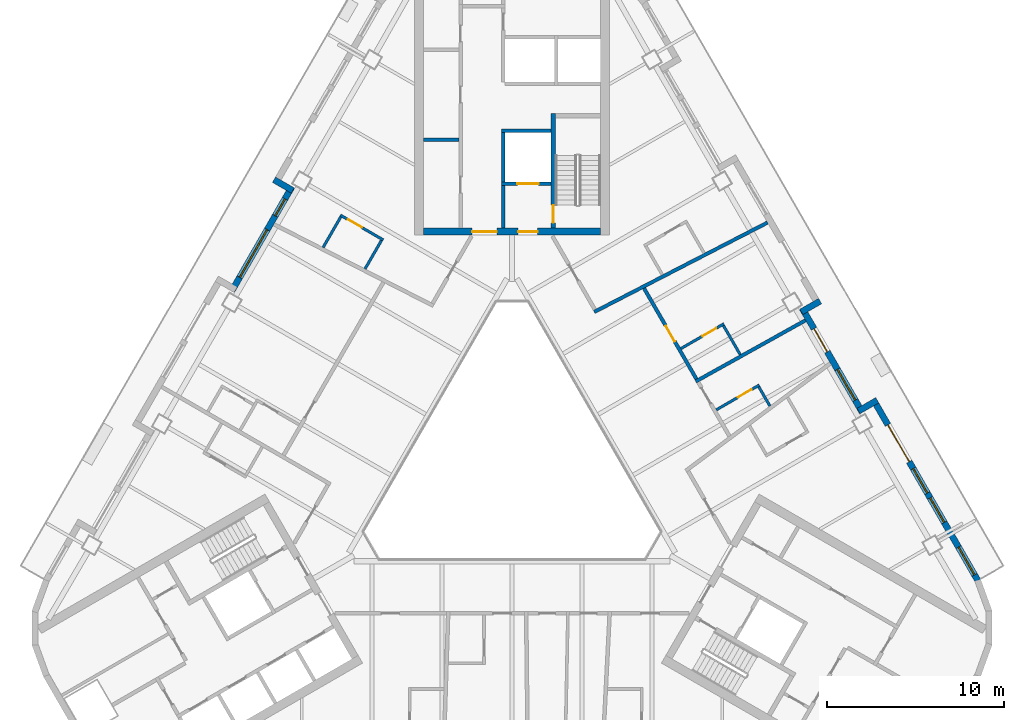
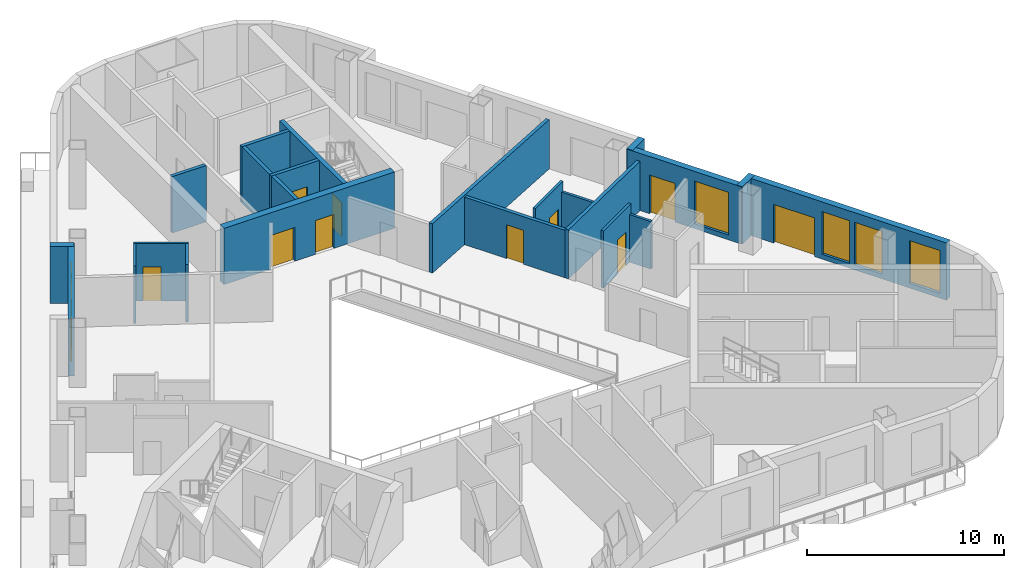
# One storey, part 6 of 14: 23 walls, 10 doors, 6 windows, 16 openings.
"""IFC4 building model written with IfcOpenShell, lengths in metres."""

from ifc_helpers import new_model, si_unit, direction, frame, frame_2d, origin, place, context, subcontext, project, spatial, rectangle, extrude, material, layer, layer_set, type_object, element, fill, save


model = new_model("IFC4")

# Units and contexts
model_context = context("Model", 3, precision=1e-05, world=origin(), true_north=direction((0.0, 1.0)))
body_context = subcontext(model_context, "Body", "Model", "MODEL_VIEW")
ifc_project = project(units=[si_unit("LENGTHUNIT", "METRE"), si_unit("AREAUNIT", "SQUARE_METRE"), si_unit("VOLUMEUNIT", "CUBIC_METRE"), si_unit("PLANEANGLEUNIT", "RADIAN"), si_unit("MASSUNIT", "GRAM", prefix="KILO")], contexts=[model_context])

# Site, building, storey
site_placement = place(None, origin())
site = spatial("IfcSite", under=ifc_project, at=site_placement, CompositionType="ELEMENT")
building_placement = place(site_placement, origin())
building = spatial("IfcBuilding", under=site, at=building_placement, Name="Apuvela Tower Hotel", CompositionType="ELEMENT")
storey_placement = place(building_placement, frame((0.0, 0.0, 172.5)))
storey = spatial("IfcBuildingStorey", under=building, at=storey_placement, Name="L41", CompositionType="ELEMENT", Elevation=172.5)

# Wall, openings, doors
ifc_material_1 = material(Name="Concrete C50/60", Category="concrete")
ifc_layer_1 = layer(ifc_material_1, 0.39990234375)
ifc_layer_set_1 = layer_set([ifc_layer_1], Name="COR-WALL-CORE-400")
wall_type_1 = type_object("IfcWallType", Name="COR-WALL-CORE-400", PredefinedType="SHEAR", material=ifc_layer_set_1)
wall_1_placement = place(storey_placement, frame((5.0, 13.10009765625, 0.0), z_axis=(0.0, 0.0, 1.0), x_axis=(-1.0, 0.0, 0.0)))
wall_1 = element("IfcWall", 1, at=wall_1_placement, inside=storey, type_object=wall_type_1, Name="Core wall N", PredefinedType="SHEAR", context=body_context, shape_type="SweptSolid", body=[
    extrude(rectangle(XDim=10.0, YDim=0.39990234375, at=frame_2d((5.0, 0.0))), origin(), (0.0, 0.0, 1.0), 3.5),
])
opening_1_placement = place(wall_1_placement, frame((3.550048828125, 0.0, 0.0)))
opening_1 = element("IfcOpeningElement", 2, at=opening_1_placement, cuts=wall_1, Name="Opening N-FD", PredefinedType="OPENING", context=body_context, shape_type="SweptSolid", body=[
    extrude(rectangle(XDim=1.10009765625, YDim=2.10009765625, at=frame_2d((0.550048828125, 1.050048828125))), frame((0.0, 0.2099609375, 0.0), z_axis=(0.0, -1.0, 0.0), x_axis=(1.0, 0.0, 0.0)), (0.0, 0.0, 1.0), 0.419921875),
])
opening_2_placement = place(wall_1_placement, frame((5.85009765625, 0.0, 0.0)))
opening_2 = element("IfcOpeningElement", 3, at=opening_2_placement, cuts=wall_1, Name="Opening N-GD", PredefinedType="OPENING", context=body_context, shape_type="SweptSolid", body=[
    extrude(rectangle(XDim=1.39990234375, YDim=2.10009765625, at=frame_2d((0.699951171875, 1.050048828125))), frame((0.0, 0.2099609375, 0.0), z_axis=(0.0, -1.0, 0.0), x_axis=(1.0, 0.0, 0.0)), (0.0, 0.0, 1.0), 0.419921875),
])
ifc_material_2 = material(Name="Steel fire door, powder coated", Category="steel")
door_type_1 = type_object("IfcDoorType", Name="COR-FD-1100", OperationType="NOTDEFINED", PredefinedType="DOOR", material=ifc_material_2)
door_1_placement = place(opening_1_placement, frame((1.10009765625, 0.0, 0.0), z_axis=(0.0, 0.0, 1.0), x_axis=(-1.0, 0.0, 0.0)))
door_1 = element("IfcDoor", 4, at=door_1_placement, inside=storey, type_object=door_type_1, Name="Firefighting lobby door N-FD", OperationType="SINGLE_SWING_LEFT", OverallHeight=2.10009765625, OverallWidth=1.10009765625, PredefinedType="DOOR", context=body_context, shape_type="SweptSolid", body=[
    extrude(rectangle(XDim=1.10009765625, YDim=2.10009765625, at=frame_2d((0.550048828125, 1.050048828125))), frame((0.0, 0.02490234375, 0.0), z_axis=(0.0, -1.0, 0.0), x_axis=(1.0, 0.0, 0.0)), (0.0, 0.0, 1.0), 0.050048828125),
])
fill(opening_1, door_1)
ifc_material_3 = material(Name="Glazed steel fire door", Category="steel")
door_type_2 = type_object("IfcDoorType", Name="COR-GD-1400", OperationType="DOUBLE_DOOR_SINGLE_SWING", PredefinedType="DOOR", material=ifc_material_3)
door_2_placement = place(opening_2_placement, frame((1.39990234375, 0.0, 0.0), z_axis=(0.0, 0.0, 1.0), x_axis=(-1.0, 0.0, 0.0)))
door_2 = element("IfcDoor", 5, at=door_2_placement, inside=storey, type_object=door_type_2, Name="Lift lobby door N-GD", OperationType="DOUBLE_DOOR_SINGLE_SWING", OverallHeight=2.10009765625, OverallWidth=1.39990234375, PredefinedType="DOOR", context=body_context, shape_type="SweptSolid", body=[
    extrude(rectangle(XDim=1.39990234375, YDim=2.10009765625, at=frame_2d((0.699951171875, 1.050048828125))), frame((0.0, 0.02490234375, 0.0), z_axis=(0.0, -1.0, 0.0), x_axis=(1.0, 0.0, 0.0)), (0.0, 0.0, 1.0), 0.050048828125),
])
fill(opening_2, door_2)

# Wall
ifc_layer_2 = layer(ifc_material_1, 0.199951171875)
ifc_layer_set_2 = layer_set([ifc_layer_2], Name="COR-WALL-SHAFT-200")
wall_type_2 = type_object("IfcWallType", Name="COR-WALL-SHAFT-200", PredefinedType="SHEAR", material=ifc_layer_set_2)
wall_2_placement = place(storey_placement, frame((2.199951171875, 18.800048828125, 0.0), z_axis=(0.0, 0.0, 1.0), x_axis=(-1.0, 0.0, 0.0)))
element("IfcWall", 6, at=wall_2_placement, inside=storey, type_object=wall_type_2, Name="Shaft wall N", PredefinedType="SHEAR", context=body_context, shape_type="SweptSolid", body=[
    extrude(rectangle(XDim=2.800048828125, YDim=0.199951171875, at=frame_2d((1.39990234375, 0.0))), origin(), (0.0, 0.0, 1.0), 3.5),
])

# Wall, opening, door
wall_3_placement = place(storey_placement, frame((2.199951171875, 15.800048828125, 0.0), z_axis=(0.0, 0.0, 1.0), x_axis=(-1.0, 0.0, 0.0)))
wall_3 = element("IfcWall", 7, at=wall_3_placement, inside=storey, type_object=wall_type_2, Name="Shaft wall N", PredefinedType="SHEAR", context=body_context, shape_type="SweptSolid", body=[
    extrude(rectangle(XDim=2.800048828125, YDim=0.199951171875, at=frame_2d((1.39990234375, 0.0))), origin(), (0.0, 0.0, 1.0), 3.5),
])
opening_3_placement = place(wall_3_placement, frame((0.699951171875, 0.0, 0.0)))
opening_3 = element("IfcOpeningElement", 8, at=opening_3_placement, cuts=wall_3, Name="Opening N-LD-FS1", PredefinedType="OPENING", context=body_context, shape_type="SweptSolid", body=[
    extrude(rectangle(XDim=1.199951171875, YDim=2.10009765625, at=frame_2d((0.60009765625, 1.050048828125))), frame((0.0, 0.10986328125, 0.0), z_axis=(0.0, -1.0, 0.0), x_axis=(1.0, 0.0, 0.0)), (0.0, 0.0, 1.0), 0.219970703125),
])
ifc_material_4 = material(Name="Stainless steel lift landing door", Category="steel")
door_type_3 = type_object("IfcDoorType", Name="COR-LD-1200", OperationType="DOUBLE_DOOR_SLIDING", PredefinedType="DOOR", material=ifc_material_4)
door_3_placement = place(opening_3_placement, origin())
door_3 = element("IfcDoor", 9, at=door_3_placement, inside=storey, type_object=door_type_3, Name="Lift landing door N-LD-FS1", OperationType="DOUBLE_DOOR_SLIDING", OverallHeight=2.10009765625, OverallWidth=1.199951171875, PredefinedType="DOOR", context=body_context, shape_type="SweptSolid", body=[
    extrude(rectangle(XDim=1.199951171875, YDim=2.10009765625, at=frame_2d((0.60009765625, 1.050048828125))), frame((0.0, 0.02490234375, 0.0), z_axis=(0.0, -1.0, 0.0), x_axis=(1.0, 0.0, 0.0)), (0.0, 0.0, 1.0), 0.050048828125),
])
fill(opening_3, door_3)

# Walls
wall_4_placement = place(storey_placement, frame((-0.5, 15.89990234375, 0.0), z_axis=(0.0, 0.0, 1.0), x_axis=(0.0, 1.0, 0.0)))
element("IfcWall", 10, at=wall_4_placement, inside=storey, type_object=wall_type_2, Name="Shaft wall N", PredefinedType="SHEAR", context=body_context, shape_type="SweptSolid", body=[
    extrude(rectangle(XDim=2.800048828125, YDim=0.199951171875, at=frame_2d((1.39990234375, 0.0))), origin(), (0.0, 0.0, 1.0), 3.5),
])
wall_5_placement = place(storey_placement, frame((-0.5, 13.300048828125, 0.0), z_axis=(0.0, 0.0, 1.0), x_axis=(0.0, 1.0, 0.0)))
element("IfcWall", 11, at=wall_5_placement, inside=storey, type_object=wall_type_2, Name="Shaft wall N", PredefinedType="SHEAR", context=body_context, shape_type="SweptSolid", body=[
    extrude(rectangle(XDim=2.39990234375, YDim=0.199951171875, at=frame_2d((1.199951171875, 0.0))), origin(), (0.0, 0.0, 1.0), 3.5),
])
wall_6_placement = place(storey_placement, frame((-3.0, 18.280029296875, 0.0), z_axis=(0.0, 0.0, 1.0), x_axis=(-1.0, 0.0, 0.0)))
element("IfcWall", 12, at=wall_6_placement, inside=storey, type_object=wall_type_2, Name="Shaft wall N", PredefinedType="SHEAR", context=body_context, shape_type="SweptSolid", body=[
    extrude(rectangle(XDim=2.0, YDim=0.199951171875, at=frame_2d((1.0, 0.0))), origin(), (0.0, 0.0, 1.0), 3.5),
])

# Wall, opening, door
ifc_layer_3 = layer(ifc_material_1, 0.25)
ifc_layer_set_3 = layer_set([ifc_layer_3], Name="COR-WALL-STAIR-250")
wall_type_3 = type_object("IfcWallType", Name="COR-WALL-STAIR-250", PredefinedType="SHEAR", material=ifc_layer_set_3)
wall_7_placement = place(storey_placement, frame((2.324951171875, 13.300048828125, 0.0), z_axis=(0.0, 0.0, 1.0), x_axis=(0.0, 1.0, 0.0)))
wall_7 = element("IfcWall", 13, at=wall_7_placement, inside=storey, type_object=wall_type_3, Name="Stair wall N", PredefinedType="SHEAR", context=body_context, shape_type="SweptSolid", body=[
    extrude(rectangle(XDim=6.449951171875, YDim=0.25, at=frame_2d((3.22509765625, 0.0))), origin(), (0.0, 0.0, 1.0), 3.5),
])
opening_4_placement = place(wall_7_placement, frame((0.300048828125, 0.0, 0.0)))
opening_4 = element("IfcOpeningElement", 14, at=opening_4_placement, cuts=wall_7, Name="Opening N-SD", PredefinedType="OPENING", context=body_context, shape_type="SweptSolid", body=[
    extrude(rectangle(XDim=1.0, YDim=2.10009765625, at=frame_2d((0.5, 1.050048828125))), frame((0.0, 0.135009765625, 0.0), z_axis=(0.0, -1.0, 0.0), x_axis=(1.0, 0.0, 0.0)), (0.0, 0.0, 1.0), 0.27001953125),
])
door_type_4 = type_object("IfcDoorType", Name="COR-SD-1000", OperationType="NOTDEFINED", PredefinedType="DOOR", material=ifc_material_2)
door_4_placement = place(opening_4_placement, frame((1.0, 0.0, 0.0), z_axis=(0.0, 0.0, 1.0), x_axis=(-1.0, 0.0, 0.0)))
door_4 = element("IfcDoor", 15, at=door_4_placement, inside=storey, type_object=door_type_4, Name="Stair door N-SD", OperationType="SINGLE_SWING_LEFT", OverallHeight=2.10009765625, OverallWidth=1.0, PredefinedType="DOOR", context=body_context, shape_type="SweptSolid", body=[
    extrude(rectangle(XDim=1.0, YDim=2.10009765625, at=frame_2d((0.5, 1.050048828125))), frame((0.0, 0.02490234375, 0.0), z_axis=(0.0, -1.0, 0.0), x_axis=(1.0, 0.0, 0.0)), (0.0, 0.0, 1.0), 0.050048828125),
])
fill(opening_4, door_4)

# Wall
ifc_material_5 = material(Name="Concrete C40/50, dark pigmented precast panel", Category="concrete")
ifc_layer_4 = layer(ifc_material_5, 0.35009765625)
ifc_layer_set_4 = layer_set([ifc_layer_4], Name="ENV-WALL-350")
wall_type_4 = type_object("IfcWallType", Name="ENV-WALL-350", PredefinedType="SOLIDWALL", material=ifc_layer_set_4)
wall_8_placement = place(storey_placement, frame((-13.41259765625, 16.02880859375, 0.0), z_axis=(0.0, 0.0, 1.0), x_axis=(0.866005645448, -0.500034220881, 0.0)))
element("IfcWall", 16, at=wall_8_placement, inside=storey, type_object=wall_type_4, Name="External wall L41-02", PredefinedType="SOLIDWALL", context=body_context, shape_type="SweptSolid", body=[
    extrude(rectangle(XDim=1.22021484375, YDim=0.35009765625, at=frame_2d((0.610107421875, 0.0))), origin(), (0.0, 0.0, 1.0), 3.550048828125),
])

# Wall, openings, windows
wall_9_placement = place(storey_placement, frame((-12.408935546875, 15.616943359375, 0.0), z_axis=(0.0, 0.0, 1.0), x_axis=(-0.500003597184, -0.866023326939, 0.0)))
wall_9 = element("IfcWall", 17, at=wall_9_placement, inside=storey, type_object=wall_type_4, Name="External wall L41-03", PredefinedType="SOLIDWALL", context=body_context, shape_type="SweptSolid", body=[
    extrude(rectangle(XDim=6.740234375, YDim=0.35009765625, at=frame_2d((3.3701171875, 0.0))), origin(), (0.0, 0.0, 1.0), 3.550048828125),
])
opening_5_placement = place(wall_9_placement, frame((0.77001953125, 0.0, 0.300048828125)))
opening_5 = element("IfcOpeningElement", 18, at=opening_5_placement, cuts=wall_9, Name="Opening WN11", PredefinedType="OPENING", context=body_context, shape_type="SweptSolid", body=[
    extrude(rectangle(XDim=1.10009765625, YDim=2.64990234375, at=frame_2d((0.550048828125, 1.324951171875))), frame((0.0, 0.18505859375, 0.0), z_axis=(0.0, -1.0, 0.0), x_axis=(1.0, 0.0, 0.0)), (0.0, 0.0, 1.0), 0.3701171875),
])
opening_6_placement = place(wall_9_placement, frame((2.773681640625, 0.0, 0.300048828125)))
opening_6 = element("IfcOpeningElement", 19, at=opening_6_placement, cuts=wall_9, Name="Opening WN31", PredefinedType="OPENING", context=body_context, shape_type="SweptSolid", body=[
    extrude(rectangle(XDim=3.10009765625, YDim=2.64990234375, at=frame_2d((1.550048828125, 1.324951171875))), frame((0.0, 0.18505859375, 0.0), z_axis=(0.0, -1.0, 0.0), x_axis=(1.0, 0.0, 0.0)), (0.0, 0.0, 1.0), 0.3701171875),
])
ifc_material_6 = material(Name="Glass, dark tinted laminated insulated glazing unit", Category="glass")
window_type_1 = type_object("IfcWindowType", Name="ENV-WIN-1100x2650", PartitioningType="SINGLE_PANEL", PredefinedType="WINDOW", material=ifc_material_6)
window_1_placement = place(opening_5_placement, origin())
window_1 = element("IfcWindow", 20, at=window_1_placement, inside=storey, type_object=window_type_1, Name="Window WN11", OverallHeight=2.64990234375, OverallWidth=1.10009765625, PartitioningType="SINGLE_PANEL", PredefinedType="WINDOW", context=body_context, shape_type="SweptSolid", body=[
    extrude(rectangle(XDim=1.10009765625, YDim=2.64990234375, at=frame_2d((0.550048828125, 1.324951171875))), frame((0.0, 0.030029296875, 0.0), z_axis=(0.0, -1.0, 0.0), x_axis=(1.0, 0.0, 0.0)), (0.0, 0.0, 1.0), 0.06005859375),
])
fill(opening_5, window_1)
window_type_2 = type_object("IfcWindowType", Name="ENV-WIN-3100x2650", PartitioningType="SINGLE_PANEL", PredefinedType="WINDOW", material=ifc_material_6)
window_2_placement = place(opening_6_placement, origin())
window_2 = element("IfcWindow", 21, at=window_2_placement, inside=storey, type_object=window_type_2, Name="Window WN31", OverallHeight=2.64990234375, OverallWidth=3.10009765625, PartitioningType="SINGLE_PANEL", PredefinedType="WINDOW", context=body_context, shape_type="SweptSolid", body=[
    extrude(rectangle(XDim=3.10009765625, YDim=2.64990234375, at=frame_2d((1.550048828125, 1.324951171875))), frame((0.0, 0.030029296875, 0.0), z_axis=(0.0, -1.0, 0.0), x_axis=(1.0, 0.0, 0.0)), (0.0, 0.0, 1.0), 0.06005859375),
])
fill(opening_6, window_2)

# Wall, openings, door, windows
wall_10_placement = place(storey_placement, frame((26.256591796875, -6.5673828125, 0.0), z_axis=(0.0, 0.0, 1.0), x_axis=(-0.500023526245, 0.866011820475, 0.0)))
wall_10 = element("IfcWall", 22, at=wall_10_placement, inside=storey, type_object=wall_type_4, Name="External wall L41-33", PredefinedType="SOLIDWALL", context=body_context, shape_type="SweptSolid", body=[
    extrude(rectangle(XDim=11.81591796875, YDim=0.35009765625, at=frame_2d((5.907958984375, 0.0))), origin(), (0.0, 0.0, 1.0), 3.550048828125),
])
opening_7_placement = place(wall_10_placement, frame((0.380126953125, 0.0, 0.300048828125)))
opening_7 = element("IfcOpeningElement", 23, at=opening_7_placement, cuts=wall_10, Name="Opening WN18", PredefinedType="OPENING", context=body_context, shape_type="SweptSolid", body=[
    extrude(rectangle(XDim=1.800048828125, YDim=2.64990234375, at=frame_2d((0.89990234375, 1.324951171875))), frame((0.0, 0.18505859375, 0.0), z_axis=(0.0, -1.0, 0.0), x_axis=(1.0, 0.0, 0.0)), (0.0, 0.0, 1.0), 0.3701171875),
])
opening_8_placement = place(wall_10_placement, frame((7.7412109375, 0.0, 0.0)))
opening_8 = element("IfcOpeningElement", 24, at=opening_8_placement, cuts=wall_10, Name="Opening BD24", PredefinedType="OPENING", context=body_context, shape_type="SweptSolid", body=[
    extrude(rectangle(XDim=2.39990234375, YDim=2.39990234375, at=frame_2d((1.199951171875, 1.199951171875))), frame((0.0, 0.18505859375, 0.0), z_axis=(0.0, -1.0, 0.0), x_axis=(1.0, 0.0, 0.0)), (0.0, 0.0, 1.0), 0.3701171875),
])
opening_9_placement = place(wall_10_placement, frame((3.791015625, 0.0, 0.300048828125)))
opening_9 = element("IfcOpeningElement", 25, at=opening_9_placement, cuts=wall_10, Name="Opening WN16", PredefinedType="OPENING", context=body_context, shape_type="SweptSolid", body=[
    extrude(rectangle(XDim=1.60009765625, YDim=2.64990234375, at=frame_2d((0.800048828125, 1.324951171875))), frame((0.0, 0.18505859375, 0.0), z_axis=(0.0, -1.0, 0.0), x_axis=(1.0, 0.0, 0.0)), (0.0, 0.0, 1.0), 0.3701171875),
])
opening_10_placement = place(wall_10_placement, frame((5.69091796875, 0.0, 0.300048828125)))
opening_10 = element("IfcOpeningElement", 26, at=opening_10_placement, cuts=wall_10, Name="Opening WN16", PredefinedType="OPENING", context=body_context, shape_type="SweptSolid", body=[
    extrude(rectangle(XDim=1.60009765625, YDim=2.64990234375, at=frame_2d((0.800048828125, 1.324951171875))), frame((0.0, 0.18505859375, 0.0), z_axis=(0.0, -1.0, 0.0), x_axis=(1.0, 0.0, 0.0)), (0.0, 0.0, 1.0), 0.3701171875),
])
ifc_material_7 = material(Name="Aluminium 6063-T6, dark bronze anodised frame with dark tinted laminated glass", Category="aluminium")
door_type_5 = type_object("IfcDoorType", Name="ENV-DOOR-BALCONY-2400x2400", OperationType="SLIDING_TO_LEFT", PredefinedType="DOOR", material=ifc_material_7)
door_5_placement = place(opening_8_placement, frame((2.39990234375, 0.0, 0.0), z_axis=(0.0, 0.0, 1.0), x_axis=(-1.0, 0.0, 0.0)))
door_5 = element("IfcDoor", 27, at=door_5_placement, inside=storey, type_object=door_type_5, Name="Balcony door BD24", OperationType="SLIDING_TO_LEFT", OverallHeight=2.39990234375, OverallWidth=2.39990234375, PredefinedType="DOOR", context=body_context, shape_type="SweptSolid", body=[
    extrude(rectangle(XDim=2.39990234375, YDim=2.39990234375, at=frame_2d((1.199951171875, 1.199951171875))), frame((0.0, 0.02490234375, 0.0), z_axis=(0.0, -1.0, 0.0), x_axis=(1.0, 0.0, 0.0)), (0.0, 0.0, 1.0), 0.050048828125),
])
fill(opening_8, door_5)
window_type_3 = type_object("IfcWindowType", Name="ENV-WIN-1600x2650", PartitioningType="SINGLE_PANEL", PredefinedType="WINDOW", material=ifc_material_6)
window_3_placement = place(opening_9_placement, origin())
window_3 = element("IfcWindow", 28, at=window_3_placement, inside=storey, type_object=window_type_3, Name="Window WN16", OverallHeight=2.64990234375, OverallWidth=1.60009765625, PartitioningType="SINGLE_PANEL", PredefinedType="WINDOW", context=body_context, shape_type="SweptSolid", body=[
    extrude(rectangle(XDim=1.60009765625, YDim=2.64990234375, at=frame_2d((0.800048828125, 1.324951171875))), frame((0.0, 0.030029296875, 0.0), z_axis=(0.0, -1.0, 0.0), x_axis=(1.0, 0.0, 0.0)), (0.0, 0.0, 1.0), 0.06005859375),
])
fill(opening_9, window_3)
window_4_placement = place(opening_10_placement, origin())
window_4 = element("IfcWindow", 29, at=window_4_placement, inside=storey, type_object=window_type_3, Name="Window WN16", OverallHeight=2.64990234375, OverallWidth=1.60009765625, PartitioningType="SINGLE_PANEL", PredefinedType="WINDOW", context=body_context, shape_type="SweptSolid", body=[
    extrude(rectangle(XDim=1.60009765625, YDim=2.64990234375, at=frame_2d((0.800048828125, 1.324951171875))), frame((0.0, 0.030029296875, 0.0), z_axis=(0.0, -1.0, 0.0), x_axis=(1.0, 0.0, 0.0)), (0.0, 0.0, 1.0), 0.06005859375),
])
fill(opening_10, window_4)
window_type_4 = type_object("IfcWindowType", Name="ENV-WIN-1800x2650", PartitioningType="SINGLE_PANEL", PredefinedType="WINDOW", material=ifc_material_6)
window_5_placement = place(opening_7_placement, origin())
window_5 = element("IfcWindow", 30, at=window_5_placement, inside=storey, type_object=window_type_4, Name="Window WN18", OverallHeight=2.64990234375, OverallWidth=1.800048828125, PartitioningType="SINGLE_PANEL", PredefinedType="WINDOW", context=body_context, shape_type="SweptSolid", body=[
    extrude(rectangle(XDim=1.800048828125, YDim=2.64990234375, at=frame_2d((0.89990234375, 1.324951171875))), frame((0.0, 0.030029296875, 0.0), z_axis=(0.0, -1.0, 0.0), x_axis=(1.0, 0.0, 0.0)), (0.0, 0.0, 1.0), 0.06005859375),
])
fill(opening_7, window_5)

# Wall
wall_11_placement = place(storey_placement, frame((20.587646484375, 3.601318359375, 0.0), z_axis=(0.0, 0.0, 1.0), x_axis=(-0.866005645448, -0.500034220881, 0.0)))
element("IfcWall", 31, at=wall_11_placement, inside=storey, type_object=wall_type_4, Name="External wall L41-34", PredefinedType="SOLIDWALL", context=body_context, shape_type="SweptSolid", body=[
    extrude(rectangle(XDim=1.22021484375, YDim=0.35009765625, at=frame_2d((0.610107421875, 0.0))), origin(), (0.0, 0.0, 1.0), 3.550048828125),
])

# Wall, openings, door, window
wall_12_placement = place(storey_placement, frame((19.72900390625, 2.93798828125, 0.0), z_axis=(0.0, 0.0, 1.0), x_axis=(-0.499976430342, 0.866039011305, 0.0)))
wall_12 = element("IfcWall", 32, at=wall_12_placement, inside=storey, type_object=wall_type_4, Name="External wall L41-35", PredefinedType="SOLIDWALL", context=body_context, shape_type="SweptSolid", body=[
    extrude(rectangle(XDim=6.739990234375, YDim=0.35009765625, at=frame_2d((3.3701171875, 0.0))), origin(), (0.0, 0.0, 1.0), 3.550048828125),
])
opening_11_placement = place(wall_12_placement, frame((0.77001953125, 0.0, 0.300048828125)))
opening_11 = element("IfcOpeningElement", 33, at=opening_11_placement, cuts=wall_12, Name="Opening WN20", PredefinedType="OPENING", context=body_context, shape_type="SweptSolid", body=[
    extrude(rectangle(XDim=2.0, YDim=2.64990234375, at=frame_2d((1.0, 1.324951171875))), frame((0.0, 0.18505859375, 0.0), z_axis=(0.0, -1.0, 0.0), x_axis=(1.0, 0.0, 0.0)), (0.0, 0.0, 1.0), 0.3701171875),
])
opening_12_placement = place(wall_12_placement, frame((3.9169921875, 0.0, 0.0)))
opening_12 = element("IfcOpeningElement", 34, at=opening_12_placement, cuts=wall_12, Name="Opening BD15", PredefinedType="OPENING", context=body_context, shape_type="SweptSolid", body=[
    extrude(rectangle(XDim=1.5, YDim=2.39990234375, at=frame_2d((0.75, 1.199951171875))), frame((0.0, 0.18505859375, 0.0), z_axis=(0.0, -1.0, 0.0), x_axis=(1.0, 0.0, 0.0)), (0.0, 0.0, 1.0), 0.3701171875),
])
door_type_6 = type_object("IfcDoorType", Name="ENV-DOOR-BALCONY-1500x2400", OperationType="SLIDING_TO_LEFT", PredefinedType="DOOR", material=ifc_material_7)
door_6_placement = place(opening_12_placement, frame((1.5, 0.0, 0.0), z_axis=(0.0, 0.0, 1.0), x_axis=(-1.0, 0.0, 0.0)))
door_6 = element("IfcDoor", 35, at=door_6_placement, inside=storey, type_object=door_type_6, Name="Balcony door BD15", OperationType="SLIDING_TO_LEFT", OverallHeight=2.39990234375, OverallWidth=1.5, PredefinedType="DOOR", context=body_context, shape_type="SweptSolid", body=[
    extrude(rectangle(XDim=1.5, YDim=2.39990234375, at=frame_2d((0.75, 1.199951171875))), frame((0.0, 0.02490234375, 0.0), z_axis=(0.0, -1.0, 0.0), x_axis=(1.0, 0.0, 0.0)), (0.0, 0.0, 1.0), 0.050048828125),
])
fill(opening_12, door_6)
window_type_5 = type_object("IfcWindowType", Name="ENV-WIN-2000x2650", PartitioningType="SINGLE_PANEL", PredefinedType="WINDOW", material=ifc_material_6)
window_6_placement = place(opening_11_placement, origin())
window_6 = element("IfcWindow", 36, at=window_6_placement, inside=storey, type_object=window_type_5, Name="Window WN20", OverallHeight=2.64990234375, OverallWidth=2.0, PartitioningType="SINGLE_PANEL", PredefinedType="WINDOW", context=body_context, shape_type="SweptSolid", body=[
    extrude(rectangle(XDim=2.0, YDim=2.64990234375, at=frame_2d((1.0, 1.324951171875))), frame((0.0, 0.030029296875, 0.0), z_axis=(0.0, -1.0, 0.0), x_axis=(1.0, 0.0, 0.0)), (0.0, 0.0, 1.0), 0.06005859375),
])
fill(opening_11, window_6)

# Walls
wall_13_placement = place(storey_placement, frame((16.305908203125, 8.5771484375, 0.0), z_axis=(0.0, 0.0, 1.0), x_axis=(0.866092288191, 0.499884134912, 0.0)))
element("IfcWall", 37, at=wall_13_placement, inside=storey, type_object=wall_type_4, Name="External wall L41-36", PredefinedType="SOLIDWALL", context=body_context, shape_type="SweptSolid", body=[
    extrude(rectangle(XDim=1.219970703125, YDim=0.35009765625, at=frame_2d((0.60986328125, 0.0))), origin(), (0.0, 0.0, 1.0), 3.550048828125),
])
ifc_material_8 = material(Name="Gypsum board partition on twin steel stud", Category="steel")
ifc_layer_5 = layer(ifc_material_8, 0.199951171875)
ifc_layer_set_5 = layer_set([ifc_layer_5], Name="GST-PW1")
wall_type_5 = type_object("IfcWallType", Name="GST-PW1", PredefinedType="PARTITIONING", material=ifc_layer_set_5)
wall_14_placement = place(storey_placement, frame((16.543212890625, 8.1064453125, 0.0), z_axis=(0.0, 0.0, 1.0), x_axis=(-0.873587451419, -0.486667201199, 0.0)))
element("IfcWall", 38, at=wall_14_placement, inside=storey, type_object=wall_type_5, Name="L41 partition 05", PredefinedType="PARTITIONING", context=body_context, shape_type="SweptSolid", body=[
    extrude(rectangle(XDim=7.080810546875, YDim=0.199951171875, at=frame_2d((3.54052734375, 0.0))), origin(), (0.0, 0.0, 1.0), 3.06005859375),
])
wall_15_placement = place(storey_placement, frame((14.402099609375, 13.614990234375, 0.0), z_axis=(0.0, 0.0, 1.0), x_axis=(-0.888691893785, -0.458504872299, 0.0)))
element("IfcWall", 39, at=wall_15_placement, inside=storey, type_object=wall_type_5, Name="L41 partition 06", PredefinedType="PARTITIONING", context=body_context, shape_type="SweptSolid", body=[
    extrude(rectangle(XDim=10.992431640625, YDim=0.199951171875, at=frame_2d((5.49609375, 0.0))), origin(), (0.0, 0.0, 1.0), 3.06005859375),
])

# Wall, opening, door
ifc_material_9 = material(Name="Gypsum board corridor wall on twin steel stud, acoustic", Category="steel")
ifc_layer_6 = layer(ifc_material_9, 0.199951171875)
ifc_layer_set_6 = layer_set([ifc_layer_6], Name="GST-PW2")
wall_type_6 = type_object("IfcWallType", Name="GST-PW2", PredefinedType="PARTITIONING", material=ifc_layer_set_6)
wall_16_placement = place(storey_placement, frame((7.44140625, 9.9111328125, 0.0), z_axis=(0.0, 0.0, 1.0), x_axis=(0.500006275671, -0.866021780494, 0.0)))
wall_16 = element("IfcWall", 40, at=wall_16_placement, inside=storey, type_object=wall_type_6, Name="L41 partition 30", PredefinedType="PARTITIONING", context=body_context, shape_type="SweptSolid", body=[
    extrude(rectangle(XDim=5.9072265625, YDim=0.199951171875, at=frame_2d((2.95361328125, 0.0))), origin(), (0.0, 0.0, 1.0), 2.949951171875),
])
opening_13_placement = place(wall_16_placement, frame((2.45849609375, 0.0, 0.0)))
opening_13 = element("IfcOpeningElement", 41, at=opening_13_placement, cuts=wall_16, Name="Opening GD15-14", PredefinedType="OPENING", context=body_context, shape_type="SweptSolid", body=[
    extrude(rectangle(XDim=1.0, YDim=2.10009765625, at=frame_2d((0.5, 1.050048828125))), frame((0.0, 0.10986328125, 0.0), z_axis=(0.0, -1.0, 0.0), x_axis=(1.0, 0.0, 0.0)), (0.0, 0.0, 1.0), 0.219970703125),
])
ifc_material_10 = material(Name="Timber door leaf in steel frame", Category="steel")
door_type_7 = type_object("IfcDoorType", Name="GST-D1", OperationType="NOTDEFINED", PredefinedType="DOOR", material=ifc_material_10)
door_7_placement = place(opening_13_placement, origin())
door_7 = element("IfcDoor", 42, at=door_7_placement, inside=storey, type_object=door_type_7, Name="Door L41-14", OperationType="SINGLE_SWING_LEFT", OverallHeight=2.10009765625, OverallWidth=1.0, PredefinedType="DOOR", context=body_context, shape_type="SweptSolid", body=[
    extrude(rectangle(XDim=1.0, YDim=2.10009765625, at=frame_2d((0.5, 1.050048828125))), frame((0.0, 0.02490234375, 0.0), z_axis=(0.0, -1.0, 0.0), x_axis=(1.0, 0.0, 0.0)), (0.0, 0.0, 1.0), 0.050048828125),
])
fill(opening_13, door_7)

ifc_material_11 = material(Name="Moisture-resistant gypsum board wet wall on steel stud", Category="steel")
ifc_layer_7 = layer(ifc_material_11, 0.14990234375)
ifc_layer_set_7 = layer_set([ifc_layer_7], Name="GST-PW3")
wall_type_7 = type_object("IfcWallType", Name="GST-PW3", PredefinedType="PARTITIONING", material=ifc_layer_set_7)
wall_17_placement = place(storey_placement, frame((13.93798828125, 4.45849609375, 0.0), z_axis=(0.0, 0.0, 1.0), x_axis=(-0.866034573852, -0.49998411664, 0.0)))
wall_17 = element("IfcWall", 43, at=wall_17_placement, inside=storey, type_object=wall_type_7, Name="L41 partition 28", PredefinedType="PARTITIONING", context=body_context, shape_type="SweptSolid", body=[
    extrude(rectangle(XDim=2.7998046875, YDim=0.14990234375, at=frame_2d((1.39990234375, 0.0))), origin(), (0.0, 0.0, 1.0), 3.550048828125),
])
opening_14_placement = place(wall_17_placement, frame((0.5, 0.0, 0.0)))
opening_14 = element("IfcOpeningElement", 44, at=opening_14_placement, cuts=wall_17, Name="Opening GD15-11", PredefinedType="OPENING", context=body_context, shape_type="SweptSolid", body=[
    extrude(rectangle(XDim=0.89990234375, YDim=2.10009765625, at=frame_2d((0.449951171875, 1.050048828125))), frame((0.0, 0.0849609375, 0.0), z_axis=(0.0, -1.0, 0.0), x_axis=(1.0, 0.0, 0.0)), (0.0, 0.0, 1.0), 0.169921875),
])
door_type_8 = type_object("IfcDoorType", Name="GST-D2", OperationType="NOTDEFINED", PredefinedType="DOOR", material=ifc_material_10)
door_8_placement = place(opening_14_placement, origin())
door_8 = element("IfcDoor", 45, at=door_8_placement, inside=storey, type_object=door_type_8, Name="Door L41-11", OperationType="SINGLE_SWING_LEFT", OverallHeight=2.10009765625, OverallWidth=0.89990234375, PredefinedType="DOOR", context=body_context, shape_type="SweptSolid", body=[
    extrude(rectangle(XDim=0.89990234375, YDim=2.10009765625, at=frame_2d((0.449951171875, 1.050048828125))), frame((0.0, 0.02490234375, 0.0), z_axis=(0.0, -1.0, 0.0), x_axis=(1.0, 0.0, 0.0)), (0.0, 0.0, 1.0), 0.050048828125),
])
fill(opening_14, door_8)

# Wall
wall_18_placement = place(storey_placement, frame((14.537109375, 3.271240234375, 0.0), z_axis=(0.0, 0.0, 1.0), x_axis=(-0.500037327496, 0.866003851672, 0.0)))
element("IfcWall", 46, at=wall_18_placement, inside=storey, type_object=wall_type_7, Name="L41 partition 29", PredefinedType="PARTITIONING", context=body_context, shape_type="SweptSolid", body=[
    extrude(rectangle(XDim=1.2529296875, YDim=0.14990234375, at=frame_2d((0.62646484375, 0.0))), origin(), (0.0, 0.0, 1.0), 2.949951171875),
])

# Wall, opening, door
wall_19_placement = place(storey_placement, frame((11.944580078125, 7.911376953125, 0.0), z_axis=(0.0, 0.0, 1.0), x_axis=(-0.865996816683, -0.500049511043, 0.0)))
wall_19 = element("IfcWall", 47, at=wall_19_placement, inside=storey, type_object=wall_type_7, Name="L41 partition 31", PredefinedType="PARTITIONING", context=body_context, shape_type="SweptSolid", body=[
    extrude(rectangle(XDim=2.800048828125, YDim=0.14990234375, at=frame_2d((1.39990234375, 0.0))), origin(), (0.0, 0.0, 1.0), 3.550048828125),
])
opening_15_placement = place(wall_19_placement, frame((0.5, 0.0, 0.0)))
opening_15 = element("IfcOpeningElement", 48, at=opening_15_placement, cuts=wall_19, Name="Opening GD15-13", PredefinedType="OPENING", context=body_context, shape_type="SweptSolid", body=[
    extrude(rectangle(XDim=0.89990234375, YDim=2.10009765625, at=frame_2d((0.449951171875, 1.050048828125))), frame((0.0, 0.0849609375, 0.0), z_axis=(0.0, -1.0, 0.0), x_axis=(1.0, 0.0, 0.0)), (0.0, 0.0, 1.0), 0.169921875),
])
door_9_placement = place(opening_15_placement, origin())
door_9 = element("IfcDoor", 49, at=door_9_placement, inside=storey, type_object=door_type_8, Name="Door L41-13", OperationType="SINGLE_SWING_LEFT", OverallHeight=2.10009765625, OverallWidth=0.89990234375, PredefinedType="DOOR", context=body_context, shape_type="SweptSolid", body=[
    extrude(rectangle(XDim=0.89990234375, YDim=2.10009765625, at=frame_2d((0.449951171875, 1.050048828125))), frame((0.0, 0.02490234375, 0.0), z_axis=(0.0, -1.0, 0.0), x_axis=(1.0, 0.0, 0.0)), (0.0, 0.0, 1.0), 0.050048828125),
])
fill(opening_15, door_9)

# Wall
wall_20_placement = place(storey_placement, frame((12.863037109375, 6.170654296875, 0.0), z_axis=(0.0, 0.0, 1.0), x_axis=(-0.499998034377, 0.866026538634, 0.0)))
element("IfcWall", 50, at=wall_20_placement, inside=storey, type_object=wall_type_7, Name="L41 partition 32", PredefinedType="PARTITIONING", context=body_context, shape_type="SweptSolid", body=[
    extrude(rectangle(XDim=1.8916015625, YDim=0.14990234375, at=frame_2d((0.94580078125, 0.0))), origin(), (0.0, 0.0, 1.0), 2.949951171875),
])

# Wall, opening, door
wall_21_placement = place(storey_placement, frame((-7.25390625, 12.6357421875, 0.0), z_axis=(0.0, 0.0, 1.0), x_axis=(-0.865996816683, 0.500049511043, 0.0)))
wall_21 = element("IfcWall", 51, at=wall_21_placement, inside=storey, type_object=wall_type_7, Name="L41 partition 38", PredefinedType="PARTITIONING", context=body_context, shape_type="SweptSolid", body=[
    extrude(rectangle(XDim=2.800048828125, YDim=0.14990234375, at=frame_2d((1.39990234375, 0.0))), origin(), (0.0, 0.0, 1.0), 3.550048828125),
])
opening_16_placement = place(wall_21_placement, frame((1.39990234375, 0.0, 0.0)))
opening_16 = element("IfcOpeningElement", 52, at=opening_16_placement, cuts=wall_21, Name="Opening GD15-17", PredefinedType="OPENING", context=body_context, shape_type="SweptSolid", body=[
    extrude(rectangle(XDim=0.89990234375, YDim=2.10009765625, at=frame_2d((0.449951171875, 1.050048828125))), frame((0.0, 0.0849609375, 0.0), z_axis=(0.0, -1.0, 0.0), x_axis=(1.0, 0.0, 0.0)), (0.0, 0.0, 1.0), 0.169921875),
])
door_10_placement = place(opening_16_placement, origin())
door_10 = element("IfcDoor", 53, at=door_10_placement, inside=storey, type_object=door_type_8, Name="Door L41-17", OperationType="SINGLE_SWING_RIGHT", OverallHeight=2.10009765625, OverallWidth=0.89990234375, PredefinedType="DOOR", context=body_context, shape_type="SweptSolid", body=[
    extrude(rectangle(XDim=0.89990234375, YDim=2.10009765625, at=frame_2d((0.449951171875, 1.050048828125))), frame((0.0, 0.02490234375, 0.0), z_axis=(0.0, -1.0, 0.0), x_axis=(1.0, 0.0, 0.0)), (0.0, 0.0, 1.0), 0.050048828125),
])
fill(opening_16, door_10)

# Walls
wall_22_placement = place(storey_placement, frame((-9.6513671875, 13.933349609375, 0.0), z_axis=(0.0, 0.0, 1.0), x_axis=(-0.50001992892, -0.866013897511, 0.0)))
element("IfcWall", 54, at=wall_22_placement, inside=storey, type_object=wall_type_7, Name="L41 partition 39", PredefinedType="PARTITIONING", context=body_context, shape_type="SweptSolid", body=[
    extrude(rectangle(XDim=1.9892578125, YDim=0.14990234375, at=frame_2d((0.99462890625, 0.0))), origin(), (0.0, 0.0, 1.0), 3.550048828125),
])
wall_23_placement = place(storey_placement, frame((-7.3564453125, 12.6083984375, 0.0), z_axis=(0.0, 0.0, 1.0), x_axis=(-0.499935264145, -0.866062775822, 0.0)))
element("IfcWall", 55, at=wall_23_placement, inside=storey, type_object=wall_type_7, Name="L41 partition 40", PredefinedType="PARTITIONING", context=body_context, shape_type="SweptSolid", body=[
    extrude(rectangle(XDim=1.853759765625, YDim=0.14990234375, at=frame_2d((0.9267578125, 0.0))), origin(), (0.0, 0.0, 1.0), 3.550048828125),
])

save(model, "model.ifc")
